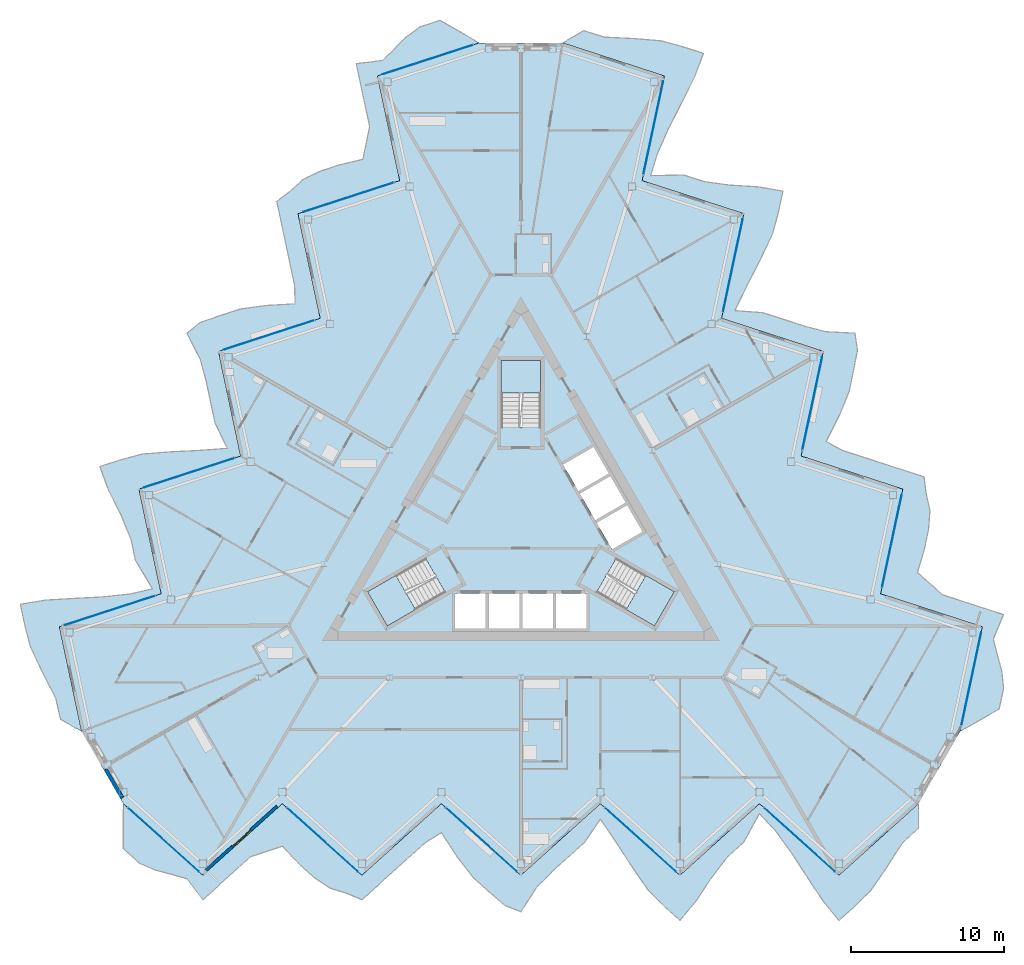
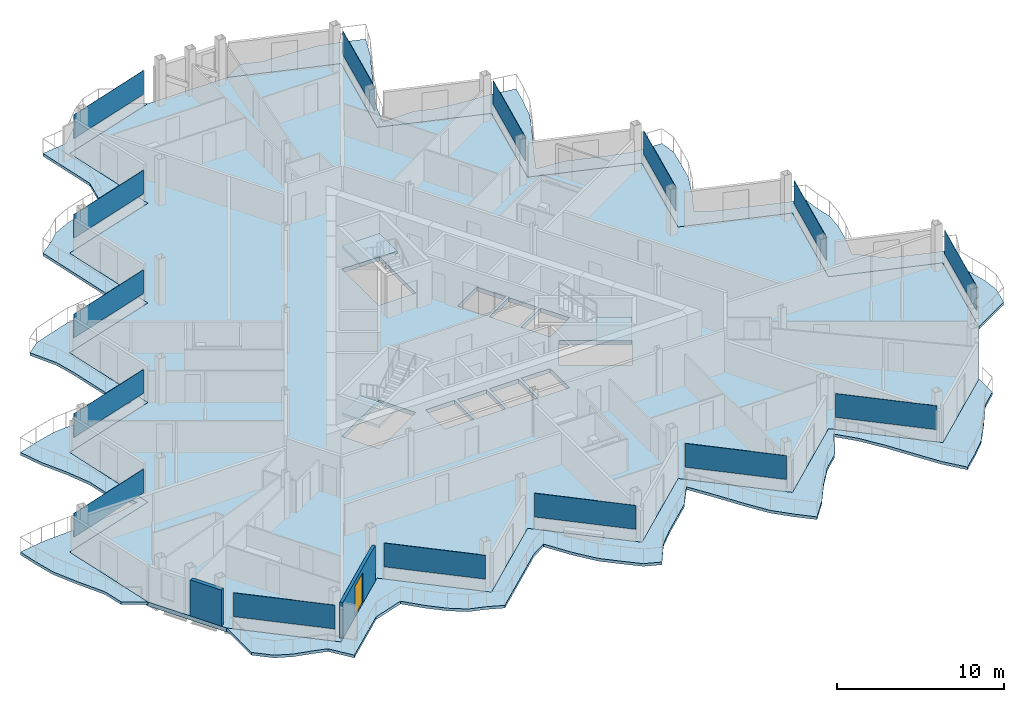
# One storey, part 11 of 26: 15 plates, 7 slabs, 2 walls, 1 door, 1 opening, 18 elements without a shape of their own.
"""IFC4 building model written with IfcOpenShell, lengths in metres."""

from ifc_helpers import new_model, si_unit, direction, frame, frame_2d, origin, origin_2d, place, context, subcontext, project, spatial, polyline, rectangle, outline, extrude, material, layer, layer_set, type_object, element, fill, aggregate, save


model = new_model("IFC4")

# Units and contexts
model_context = context("Model", 3, precision=1e-05, world=origin(), true_north=direction((0.0, 1.0)))
body_context = subcontext(model_context, "Body", "Model", "MODEL_VIEW")
ifc_project = project(units=[si_unit("LENGTHUNIT", "METRE"), si_unit("AREAUNIT", "SQUARE_METRE"), si_unit("VOLUMEUNIT", "CUBIC_METRE"), si_unit("PLANEANGLEUNIT", "RADIAN"), si_unit("MASSUNIT", "GRAM", prefix="KILO")], contexts=[model_context])

# Site, building, storey
site_placement = place(None, origin())
site = spatial("IfcSite", under=ifc_project, at=site_placement, CompositionType="ELEMENT")
building_placement = place(site_placement, origin())
building = spatial("IfcBuilding", under=site, at=building_placement, Name="Cormorant Prow Tower", CompositionType="ELEMENT")
storey_placement = place(building_placement, frame((0.0, 0.0, 364.39990234375)))
storey = spatial("IfcBuildingStorey", under=building, at=storey_placement, Name="L81", CompositionType="ELEMENT", Elevation=364.39990234375)

# Slabs
ifc_material_1 = material(Name="Concrete C40/50", Category="concrete")
ifc_layer_1 = layer(ifc_material_1, 0.199951171875)
ifc_layer_set_1 = layer_set([ifc_layer_1], Name="Concrete C40/50")
slab_type_1 = type_object("IfcSlabType", Name="Balcony slab 200", PredefinedType="FLOOR", material=ifc_layer_set_1)
slab_1_placement = place(storey_placement, frame((0.0, 0.0, -0.199951171875)))
element("IfcSlab", 1, at=slab_1_placement, inside=storey, type_object=slab_type_1, Name="Balcony slab S L81", PredefinedType="FLOOR", context=body_context, shape_type="SweptSolid", body=[
    extrude(outline(polyline([(-26.0, -18.1572265625), (-26.0, -21.107421875), (-24.9599609375, -22.043701171875), (-23.919921875, -22.498046875), (-22.8798828125, -22.769287109375), (-21.840087890625, -23.069091796875), (-20.800048828125, -24.439453125), (-19.760009765625, -23.5029296875), (-18.719970703125, -22.566650390625), (-17.679931640625, -21.630126953125), (-16.639892578125, -21.283203125), (-15.60009765625, -20.939453125), (-14.56005859375, -22.043701171875), (-13.52001953125, -22.980224609375), (-12.47998046875, -23.68115234375), (-11.43994140625, -24.002197265625), (-10.39990234375, -24.439453125), (-9.360107421875, -23.5029296875), (-8.320068359375, -22.566650390625), (-7.280029296875, -21.630126953125), (-6.239990234375, -20.69384765625), (-5.199951171875, -20.052001953125), (-4.159912109375, -21.64208984375), (-3.1201171875, -22.980224609375), (-2.080078125, -23.91650390625), (-1.0400390625, -24.818115234375), (0.0, -25.223876953125), (1.0400390625, -23.6142578125), (2.080078125, -22.566650390625), (3.1201171875, -21.630126953125), (4.159912109375, -20.69384765625), (5.199951171875, -19.167724609375), (6.239990234375, -20.69384765625), (7.280029296875, -22.308349609375), (8.320068359375, -23.811279296875), (9.360107421875, -24.85302734375), (10.39990234375, -25.78955078125), (11.43994140625, -24.54541015625), (12.47998046875, -22.974609375), (13.52001953125, -21.630126953125), (14.56005859375, -20.69384765625), (15.60009765625, -18.807373046875), (16.639892578125, -19.92236328125), (17.679931640625, -21.352783203125), (18.719970703125, -22.953369140625), (19.760009765625, -24.5283203125), (20.800048828125, -25.78955078125), (21.840087890625, -24.85302734375), (22.8798828125, -23.8251953125), (23.919921875, -22.32861328125), (24.9599609375, -20.714599609375), (26.0, -19.75732421875), (26.0, -18.1572265625), (24.9599609375, -19.09375), (23.919921875, -20.0302734375), (22.8798828125, -20.966552734375), (21.840087890625, -21.903076171875), (20.800048828125, -22.83935546875), (19.760009765625, -21.903076171875), (18.719970703125, -20.966552734375), (17.679931640625, -20.0302734375), (16.639892578125, -19.09375), (15.60009765625, -18.1572265625), (14.56005859375, -19.09375), (13.52001953125, -20.0302734375), (12.47998046875, -20.966552734375), (11.43994140625, -21.903076171875), (10.39990234375, -22.83935546875), (9.360107421875, -21.903076171875), (8.320068359375, -20.966552734375), (7.280029296875, -20.0302734375), (6.239990234375, -19.09375), (5.199951171875, -18.1572265625), (4.159912109375, -19.09375), (3.1201171875, -20.0302734375), (2.080078125, -20.966552734375), (1.0400390625, -21.903076171875), (0.0, -22.83935546875), (-1.0400390625, -21.903076171875), (-2.080078125, -20.966552734375), (-3.1201171875, -20.0302734375), (-4.159912109375, -19.09375), (-5.199951171875, -18.1572265625), (-6.239990234375, -19.09375), (-7.280029296875, -20.0302734375), (-8.320068359375, -20.966552734375), (-9.360107421875, -21.903076171875), (-10.39990234375, -22.83935546875), (-11.43994140625, -21.903076171875), (-12.47998046875, -20.966552734375), (-13.52001953125, -20.0302734375), (-14.56005859375, -19.09375), (-15.60009765625, -18.1572265625), (-16.639892578125, -19.09375), (-17.679931640625, -20.0302734375), (-18.719970703125, -20.966552734375), (-19.760009765625, -21.903076171875), (-20.800048828125, -22.83935546875), (-21.840087890625, -21.903076171875), (-22.8798828125, -20.966552734375), (-23.919921875, -20.0302734375), (-24.9599609375, -19.09375), (-26.0, -18.1572265625)])), origin(), (0.0, 0.0, 1.0), 0.199951171875),
])
slab_2_placement = place(storey_placement, frame((0.0, 0.0, -0.199951171875)))
element("IfcSlab", 2, at=slab_2_placement, inside=storey, type_object=slab_type_1, Name="Balcony slab ENE L81", PredefinedType="FLOOR", context=body_context, shape_type="SweptSolid", body=[
    extrude(outline(polyline([(28.724609375, -13.43798828125), (31.279541015625, -11.962890625), (31.570556640625, -10.593994140625), (31.44384765625, -9.46630859375), (31.158935546875, -8.429931640625), (30.8984375, -7.37939453125), (31.565185546875, -5.793701171875), (30.234130859375, -5.361083984375), (28.9033203125, -4.9287109375), (27.572265625, -4.496337890625), (26.751708984375, -3.76904296875), (25.93408203125, -3.040283203125), (26.370361328125, -1.58740234375), (26.661376953125, -0.218505859375), (26.748291015625, 1.032470703125), (26.506591796875, 2.09375), (26.365234375, 3.213134765625), (25.0341796875, 3.6455078125), (23.703369140625, 4.077880859375), (22.372314453125, 4.510498046875), (21.041259765625, 4.94287109375), (19.965576171875, 5.522705078125), (20.822509765625, 7.218505859375), (21.46142578125, 8.7880859375), (21.75244140625, 10.156982421875), (22.012939453125, 11.50830078125), (21.844482421875, 12.612060546875), (19.9306640625, 12.707763671875), (18.503173828125, 13.084716796875), (17.17236328125, 13.51708984375), (15.84130859375, 13.949462890625), (13.999755859375, 14.087158203125), (14.801513671875, 15.7509765625), (15.6796875, 17.458740234375), (16.461181640625, 19.111083984375), (16.84326171875, 20.532470703125), (17.13427734375, 21.9013671875), (15.537109375, 22.18017578125), (13.656494140625, 22.295166015625), (11.972412109375, 22.523681640625), (10.641357421875, 22.956298828125), (8.48779296875, 22.91357421875), (8.93310546875, 24.371826171875), (9.652099609375, 25.98779296875), (10.51806640625, 27.688720703125), (11.362060546875, 29.376708984375), (11.934326171875, 30.907958984375), (10.603271484375, 31.340576171875), (9.193115234375, 31.727294921875), (7.377197265625, 31.879638671875), (5.45947265625, 31.973388671875), (4.1103515625, 32.395263671875), (2.724609375, 31.59521484375), (4.0556640625, 31.162841796875), (5.38671875, 30.73046875), (6.717529296875, 30.2978515625), (8.048583984375, 29.865478515625), (9.379638671875, 29.43310546875), (9.088623046875, 28.064208984375), (8.797607421875, 26.6953125), (8.506591796875, 25.326416015625), (8.215576171875, 23.95751953125), (7.9248046875, 22.588623046875), (9.255615234375, 22.15625), (10.586669921875, 21.723876953125), (11.917724609375, 21.291259765625), (13.24853515625, 20.85888671875), (14.57958984375, 20.42626953125), (14.28857421875, 19.0576171875), (13.99755859375, 17.688720703125), (13.70654296875, 16.31982421875), (13.415771484375, 14.950927734375), (13.124755859375, 13.58203125), (14.45556640625, 13.149658203125), (15.78662109375, 12.717041015625), (17.11767578125, 12.28466796875), (18.448486328125, 11.852294921875), (19.779541015625, 11.419677734375), (19.488525390625, 10.05078125), (19.197509765625, 8.681884765625), (18.90673828125, 7.31298828125), (18.61572265625, 5.9443359375), (18.32470703125, 4.575439453125), (19.65576171875, 4.142822265625), (20.986572265625, 3.71044921875), (22.317626953125, 3.278076171875), (23.648681640625, 2.845458984375), (24.9794921875, 2.4130859375), (24.6884765625, 1.044189453125), (24.397705078125, -0.32470703125), (24.106689453125, -1.693603515625), (23.815673828125, -3.0625), (23.524658203125, -4.431396484375), (24.855712890625, -4.86376953125), (26.186767578125, -5.296142578125), (27.517578125, -5.728759765625), (28.8486328125, -6.1611328125), (30.179443359375, -6.593505859375), (29.888671875, -7.96240234375), (29.59765625, -9.331298828125), (29.306640625, -10.7001953125), (29.015625, -12.069091796875), (28.724609375, -13.43798828125)])), origin(), (0.0, 0.0, 1.0), 0.199951171875),
])
slab_3_placement = place(storey_placement, frame((0.0, 0.0, -0.199951171875)))
element("IfcSlab", 3, at=slab_3_placement, inside=storey, type_object=slab_type_1, Name="Balcony slab WNW L81", PredefinedType="FLOOR", context=body_context, shape_type="SweptSolid", body=[
    extrude(outline(polyline([(-2.724609375, 31.59521484375), (-5.279541015625, 33.0703125), (-6.6103515625, 32.637939453125), (-7.52392578125, 31.96435546875), (-8.27880859375, 31.19921875), (-9.05859375, 30.448486328125), (-10.76513671875, 30.233154296875), (-10.47412109375, 28.8642578125), (-10.183349609375, 27.495361328125), (-9.892333984375, 26.12646484375), (-10.11181640625, 25.05224609375), (-10.333984375, 23.979736328125), (-11.810546875, 23.631103515625), (-13.141357421875, 23.19873046875), (-14.268310546875, 22.6484375), (-15.066650390625, 21.908447265625), (-15.965087890625, 21.226318359375), (-15.67431640625, 19.857421875), (-15.38330078125, 18.488525390625), (-15.09228515625, 17.119873046875), (-14.80126953125, 15.7509765625), (-14.765625, 14.529296875), (-16.66259765625, 14.423828125), (-18.34130859375, 14.192138671875), (-19.67236328125, 13.759521484375), (-20.97314453125, 13.3095703125), (-21.844482421875, 12.612060546875), (-20.970703125, 10.906494140625), (-20.583251953125, 9.48193359375), (-20.292236328125, 8.113037109375), (-20.001220703125, 6.744140625), (-19.199951171875, 5.08056640625), (-21.04150390625, 4.94287109375), (-22.959716796875, 4.849609375), (-24.78125, 4.700439453125), (-26.203369140625, 4.320556640625), (-27.534423828125, 3.887939453125), (-26.97705078125, 2.365478515625), (-26.136474609375, 0.67919921875), (-25.4921875, -0.8935546875), (-25.201416015625, -2.262451171875), (-24.087646484375, -4.106201171875), (-25.5732421875, -4.449462890625), (-27.33203125, -4.635009765625), (-29.238037109375, -4.7353515625), (-31.1220703125, -4.8486328125), (-32.734375, -5.11865234375), (-32.443359375, -6.487548828125), (-32.0732421875, -7.902099609375), (-31.297119140625, -9.551025390625), (-30.41943359375, -11.2587890625), (-30.1103515625, -12.637939453125), (-28.724609375, -13.43798828125), (-29.015625, -12.069091796875), (-29.306640625, -10.7001953125), (-29.59765625, -9.331298828125), (-29.888671875, -7.96240234375), (-30.179443359375, -6.593505859375), (-28.8486328125, -6.1611328125), (-27.517578125, -5.728759765625), (-26.186767578125, -5.296142578125), (-24.855712890625, -4.86376953125), (-23.524658203125, -4.431396484375), (-23.815673828125, -3.0625), (-24.106689453125, -1.693603515625), (-24.397705078125, -0.32470703125), (-24.6884765625, 1.044189453125), (-24.9794921875, 2.4130859375), (-23.648681640625, 2.845458984375), (-22.317626953125, 3.278076171875), (-20.986572265625, 3.71044921875), (-19.65576171875, 4.142822265625), (-18.32470703125, 4.575439453125), (-18.61572265625, 5.9443359375), (-18.90673828125, 7.31298828125), (-19.197509765625, 8.681884765625), (-19.488525390625, 10.05078125), (-19.779541015625, 11.419677734375), (-18.448486328125, 11.852294921875), (-17.11767578125, 12.28466796875), (-15.78662109375, 12.717041015625), (-14.45556640625, 13.149658203125), (-13.124755859375, 13.58203125), (-13.415771484375, 14.950927734375), (-13.70654296875, 16.31982421875), (-13.99755859375, 17.688720703125), (-14.28857421875, 19.0576171875), (-14.57958984375, 20.42626953125), (-13.24853515625, 20.85888671875), (-11.917724609375, 21.291259765625), (-10.586669921875, 21.723876953125), (-9.255615234375, 22.15625), (-7.9248046875, 22.588623046875), (-8.215576171875, 23.95751953125), (-8.506591796875, 25.326416015625), (-8.797607421875, 26.6953125), (-9.088623046875, 28.064208984375), (-9.379638671875, 29.43310546875), (-8.048583984375, 29.865478515625), (-6.717529296875, 30.2978515625), (-5.38671875, 30.73046875), (-4.0556640625, 31.162841796875), (-2.724609375, 31.59521484375)])), origin(), (0.0, 0.0, 1.0), 0.199951171875),
])
ifc_material_2 = material(Name="Concrete C40/50", Category="concrete")
ifc_layer_2 = layer(ifc_material_2, 0.300048828125)
ifc_layer_set_2 = layer_set([ifc_layer_2], Name="Concrete C40/50")
slab_type_2 = type_object("IfcSlabType", Name="Post-tensioned flat slab 300", PredefinedType="FLOOR", material=ifc_layer_set_2)
slab_4_placement = place(storey_placement, frame((0.0, 0.0, -0.2998046875)))
element("IfcSlab", 4, at=slab_4_placement, inside=storey, type_object=slab_type_2, Name="Floor slab L81", PredefinedType="FLOOR", context=body_context, shape_type="SweptSolid", body=[
    extrude(outline(polyline([(-7.9248046875, 22.588623046875), (-14.57958984375, 20.42626953125), (-13.124755859375, 13.58203125), (-19.779541015625, 11.419677734375), (-18.32470703125, 4.575439453125), (-24.9794921875, 2.4130859375), (-23.524658203125, -4.431396484375), (-30.179443359375, -6.593505859375), (-28.724609375, -13.43798828125), (-27.3623046875, -15.797607421875), (-26.0, -18.1572265625), (-20.800048828125, -22.83935546875), (-15.60009765625, -18.1572265625), (-10.39990234375, -22.83935546875), (-5.199951171875, -18.1572265625), (0.0, -22.83935546875), (5.199951171875, -18.1572265625), (10.39990234375, -22.83935546875), (15.60009765625, -18.1572265625), (20.800048828125, -22.83935546875), (26.0, -18.1572265625), (27.3623046875, -15.797607421875), (28.724609375, -13.43798828125), (30.179443359375, -6.593505859375), (23.524658203125, -4.431396484375), (24.9794921875, 2.4130859375), (18.32470703125, 4.575439453125), (19.779541015625, 11.419677734375), (13.124755859375, 13.58203125), (14.57958984375, 20.42626953125), (7.9248046875, 22.588623046875), (9.379638671875, 29.43310546875), (2.724609375, 31.59521484375), (0.0, 31.59521484375), (-2.724609375, 31.59521484375), (-9.379638671875, 29.43310546875), (-7.9248046875, 22.588623046875)]), holes=[polyline([(-4.300048828125, -4.39990234375), (-2.300048828125, -4.39990234375), (-2.300048828125, -6.699951171875), (-4.300048828125, -6.699951171875), (-4.300048828125, -4.39990234375)]), polyline([(-0.10009765625, -4.39990234375), (-0.10009765625, -6.699951171875), (-2.10009765625, -6.699951171875), (-2.10009765625, -4.39990234375), (-0.10009765625, -4.39990234375)]), polyline([(2.10009765625, -6.699951171875), (0.10009765625, -6.699951171875), (0.10009765625, -4.39990234375), (2.10009765625, -4.39990234375), (2.10009765625, -6.699951171875)]), polyline([(2.300048828125, -6.699951171875), (2.300048828125, -4.39990234375), (4.300048828125, -4.39990234375), (4.300048828125, -6.699951171875), (2.300048828125, -6.699951171875)]), polyline([(5.96044921875, -1.52392578125), (4.96044921875, 0.2080078125), (6.952392578125, 1.358154296875), (7.952392578125, -0.373779296875), (5.96044921875, -1.52392578125)]), polyline([(3.860595703125, 2.11328125), (5.852294921875, 3.263427734375), (6.852294921875, 1.53125), (4.860595703125, 0.38134765625), (3.860595703125, 2.11328125)]), polyline([(4.75244140625, 5.168701171875), (5.75244140625, 3.4365234375), (3.760498046875, 2.28662109375), (2.760498046875, 4.018798828125), (4.75244140625, 5.168701171875)]), polyline([(-4.947509765625, -4.3505859375), (-8.738037109375, -6.5390625), (-10.031982421875, -4.2978515625), (-6.241455078125, -2.109375), (-4.947509765625, -4.3505859375)]), polyline([(10.031982421875, -4.2978515625), (8.738037109375, -6.5390625), (4.947509765625, -4.3505859375), (6.241455078125, -2.109375), (10.031982421875, -4.2978515625)]), polyline([(1.2939453125, 10.8369140625), (1.2939453125, 6.459716796875), (-1.2939453125, 6.459716796875), (-1.2939453125, 10.8369140625), (1.2939453125, 10.8369140625)])]), origin(), (0.0, 0.0, 1.0), 0.2998046875),
])

# Curtain wall, plate
ifc_material_3 = material(Name="Aluminium 6063-T6", Category="aluminium")
ifc_layer_3 = layer(ifc_material_3, 0.159912109375)
ifc_layer_set_3 = layer_set([ifc_layer_3], Name="Aluminium 6063-T6")
curtain_wall_type = type_object("IfcCurtainWallType", Name="Residential unitised curtain wall 160", PredefinedType="NOTDEFINED", material=ifc_layer_set_3)
curtain_wall_1_placement = place(storey_placement, origin())
curtain_wall_1 = element("IfcCurtainWall", 5, at=curtain_wall_1_placement, inside=storey, type_object=curtain_wall_type, Name="Residential curtain wall S00", PredefinedType="NOTDEFINED")
ifc_material_4 = material(Name="Clear glass", Category="glass")
ifc_layer_4 = layer(ifc_material_4, 0.02392578125)
ifc_layer_set_4 = layer_set([ifc_layer_4], Name="Clear glass")
plate_type = type_object("IfcPlateType", Name="Residential glass panel 24", PredefinedType="CURTAIN_PANEL", material=ifc_layer_set_4)
plate_1_placement = place(storey_placement, frame((-23.38134765625, -20.51513671875, 0.900146484375), z_axis=(0.0, 0.0, 1.0), x_axis=(0.743144756574, -0.669130682884, 0.0)))
plate_1 = element("IfcPlate", 6, at=plate_1_placement, type_object=plate_type, Name="Residential glass panel S00", PredefinedType="CURTAIN_PANEL", context=body_context, shape_type="SweptSolid", body=[
    extrude(rectangle(XDim=6.21533203125, YDim=0.02392578125, at=origin_2d()), origin(), (0.0, 0.0, 1.0), 1.73388671875),
])
aggregate(curtain_wall_1, [plate_1])

curtain_wall_2_placement = place(storey_placement, origin())
curtain_wall_2 = element("IfcCurtainWall", 7, at=curtain_wall_2_placement, inside=storey, type_object=curtain_wall_type, Name="Residential curtain wall S02", PredefinedType="NOTDEFINED")
plate_2_placement = place(storey_placement, frame((-12.9814453125, -20.51513671875, 0.900146484375), z_axis=(0.0, 0.0, 1.0), x_axis=(0.743144756574, -0.669130682884, 0.0)))
plate_2 = element("IfcPlate", 8, at=plate_2_placement, type_object=plate_type, Name="Residential glass panel S02", PredefinedType="CURTAIN_PANEL", context=body_context, shape_type="SweptSolid", body=[
    extrude(rectangle(XDim=6.21533203125, YDim=0.02392578125, at=origin_2d()), origin(), (0.0, 0.0, 1.0), 1.73388671875),
])
aggregate(curtain_wall_2, [plate_2])

curtain_wall_3_placement = place(storey_placement, origin())
curtain_wall_3 = element("IfcCurtainWall", 9, at=curtain_wall_3_placement, inside=storey, type_object=curtain_wall_type, Name="Residential curtain wall S04", PredefinedType="NOTDEFINED")
plate_3_placement = place(storey_placement, frame((-2.58154296875, -20.51513671875, 0.900146484375), z_axis=(0.0, 0.0, 1.0), x_axis=(0.743144756574, -0.669130682884, 0.0)))
plate_3 = element("IfcPlate", 10, at=plate_3_placement, type_object=plate_type, Name="Residential glass panel S04", PredefinedType="CURTAIN_PANEL", context=body_context, shape_type="SweptSolid", body=[
    extrude(rectangle(XDim=6.21533203125, YDim=0.02392578125, at=origin_2d()), origin(), (0.0, 0.0, 1.0), 1.73388671875),
])
aggregate(curtain_wall_3, [plate_3])

curtain_wall_4_placement = place(storey_placement, origin())
curtain_wall_4 = element("IfcCurtainWall", 11, at=curtain_wall_4_placement, inside=storey, type_object=curtain_wall_type, Name="Residential curtain wall S06", PredefinedType="NOTDEFINED")
plate_4_placement = place(storey_placement, frame((7.818603515625, -20.51513671875, 0.900146484375), z_axis=(0.0, 0.0, 1.0), x_axis=(0.743144756574, -0.669130682884, 0.0)))
plate_4 = element("IfcPlate", 12, at=plate_4_placement, type_object=plate_type, Name="Residential glass panel S06", PredefinedType="CURTAIN_PANEL", context=body_context, shape_type="SweptSolid", body=[
    extrude(rectangle(XDim=6.21533203125, YDim=0.02392578125, at=origin_2d()), origin(), (0.0, 0.0, 1.0), 1.73388671875),
])
aggregate(curtain_wall_4, [plate_4])

curtain_wall_5_placement = place(storey_placement, origin())
curtain_wall_5 = element("IfcCurtainWall", 13, at=curtain_wall_5_placement, inside=storey, type_object=curtain_wall_type, Name="Residential curtain wall S08", PredefinedType="NOTDEFINED")
plate_5_placement = place(storey_placement, frame((18.218505859375, -20.51513671875, 0.900146484375), z_axis=(0.0, 0.0, 1.0), x_axis=(0.743144756574, -0.669130682884, 0.0)))
plate_5 = element("IfcPlate", 14, at=plate_5_placement, type_object=plate_type, Name="Residential glass panel S08", PredefinedType="CURTAIN_PANEL", context=body_context, shape_type="SweptSolid", body=[
    extrude(rectangle(XDim=6.21533203125, YDim=0.02392578125, at=origin_2d()), origin(), (0.0, 0.0, 1.0), 1.73388671875),
])
aggregate(curtain_wall_5, [plate_5])

curtain_wall_6_placement = place(storey_placement, origin())
curtain_wall_6 = element("IfcCurtainWall", 15, at=curtain_wall_6_placement, inside=storey, type_object=curtain_wall_type, Name="Residential curtain wall ENE00", PredefinedType="NOTDEFINED")
plate_6_placement = place(storey_placement, frame((29.457275390625, -9.991455078125, 0.900146484375), z_axis=(0.0, 0.0, 1.0), x_axis=(0.207911756835, 0.978147586701, 0.0)))
plate_6 = element("IfcPlate", 16, at=plate_6_placement, type_object=plate_type, Name="Residential glass panel ENE00", PredefinedType="CURTAIN_PANEL", context=body_context, shape_type="SweptSolid", body=[
    extrude(rectangle(XDim=6.21533203125, YDim=0.02392578125, at=origin_2d()), origin(), (0.0, 0.0, 1.0), 1.73388671875),
])
aggregate(curtain_wall_6, [plate_6])

curtain_wall_7_placement = place(storey_placement, origin())
curtain_wall_7 = element("IfcCurtainWall", 17, at=curtain_wall_7_placement, inside=storey, type_object=curtain_wall_type, Name="Residential curtain wall ENE02", PredefinedType="NOTDEFINED")
plate_7_placement = place(storey_placement, frame((24.25732421875, -0.984619140625, 0.900146484375), z_axis=(0.0, 0.0, 1.0), x_axis=(0.207911785891, 0.978147580525, 0.0)))
plate_7 = element("IfcPlate", 18, at=plate_7_placement, type_object=plate_type, Name="Residential glass panel ENE02", PredefinedType="CURTAIN_PANEL", context=body_context, shape_type="SweptSolid", body=[
    extrude(rectangle(XDim=6.21533203125, YDim=0.02392578125, at=origin_2d()), origin(), (0.0, 0.0, 1.0), 1.73388671875),
])
aggregate(curtain_wall_7, [plate_7])

curtain_wall_8_placement = place(storey_placement, origin())
curtain_wall_8 = element("IfcCurtainWall", 19, at=curtain_wall_8_placement, inside=storey, type_object=curtain_wall_type, Name="Residential curtain wall ENE04", PredefinedType="NOTDEFINED")
plate_8_placement = place(storey_placement, frame((19.057373046875, 8.02197265625, 0.900146484375), z_axis=(0.0, 0.0, 1.0), x_axis=(0.207911756835, 0.978147586701, 0.0)))
plate_8 = element("IfcPlate", 20, at=plate_8_placement, type_object=plate_type, Name="Residential glass panel ENE04", PredefinedType="CURTAIN_PANEL", context=body_context, shape_type="SweptSolid", body=[
    extrude(rectangle(XDim=6.21533203125, YDim=0.02392578125, at=origin_2d()), origin(), (0.0, 0.0, 1.0), 1.73388671875),
])
aggregate(curtain_wall_8, [plate_8])

curtain_wall_9_placement = place(storey_placement, origin())
curtain_wall_9 = element("IfcCurtainWall", 21, at=curtain_wall_9_placement, inside=storey, type_object=curtain_wall_type, Name="Residential curtain wall ENE06", PredefinedType="NOTDEFINED")
plate_9_placement = place(storey_placement, frame((13.857421875, 17.028564453125, 0.900146484375), z_axis=(0.0, 0.0, 1.0), x_axis=(0.207911756835, 0.978147586701, 0.0)))
plate_9 = element("IfcPlate", 22, at=plate_9_placement, type_object=plate_type, Name="Residential glass panel ENE06", PredefinedType="CURTAIN_PANEL", context=body_context, shape_type="SweptSolid", body=[
    extrude(rectangle(XDim=6.21533203125, YDim=0.02392578125, at=origin_2d()), origin(), (0.0, 0.0, 1.0), 1.73388671875),
])
aggregate(curtain_wall_9, [plate_9])

curtain_wall_10_placement = place(storey_placement, origin())
curtain_wall_10 = element("IfcCurtainWall", 23, at=curtain_wall_10_placement, inside=storey, type_object=curtain_wall_type, Name="Residential curtain wall ENE08", PredefinedType="NOTDEFINED")
plate_10_placement = place(storey_placement, frame((8.6572265625, 26.035400390625, 0.900146484375), z_axis=(0.0, 0.0, 1.0), x_axis=(0.207911756835, 0.978147586701, 0.0)))
plate_10 = element("IfcPlate", 24, at=plate_10_placement, type_object=plate_type, Name="Residential glass panel ENE08", PredefinedType="CURTAIN_PANEL", context=body_context, shape_type="SweptSolid", body=[
    extrude(rectangle(XDim=6.21533203125, YDim=0.02392578125, at=origin_2d()), origin(), (0.0, 0.0, 1.0), 1.73388671875),
])
aggregate(curtain_wall_10, [plate_10])

curtain_wall_11_placement = place(storey_placement, origin())
curtain_wall_11 = element("IfcCurtainWall", 25, at=curtain_wall_11_placement, inside=storey, type_object=curtain_wall_type, Name="Residential curtain wall WNW00", PredefinedType="NOTDEFINED")
plate_11_placement = place(storey_placement, frame((-6.075927734375, 30.50634765625, 0.900146484375), z_axis=(0.0, 0.0, 1.0), x_axis=(-0.951056548553, -0.309016895096, 0.0)))
plate_11 = element("IfcPlate", 26, at=plate_11_placement, type_object=plate_type, Name="Residential glass panel WNW00", PredefinedType="CURTAIN_PANEL", context=body_context, shape_type="SweptSolid", body=[
    extrude(rectangle(XDim=6.21533203125, YDim=0.02392578125, at=origin_2d()), origin(), (0.0, 0.0, 1.0), 1.73388671875),
])
aggregate(curtain_wall_11, [plate_11])

curtain_wall_12_placement = place(storey_placement, origin())
curtain_wall_12 = element("IfcCurtainWall", 27, at=curtain_wall_12_placement, inside=storey, type_object=curtain_wall_type, Name="Residential curtain wall WNW02", PredefinedType="NOTDEFINED")
plate_12_placement = place(storey_placement, frame((-11.27587890625, 21.499755859375, 0.900146484375), z_axis=(0.0, 0.0, 1.0), x_axis=(-0.951056506549, -0.309017024369, 0.0)))
plate_12 = element("IfcPlate", 28, at=plate_12_placement, type_object=plate_type, Name="Residential glass panel WNW02", PredefinedType="CURTAIN_PANEL", context=body_context, shape_type="SweptSolid", body=[
    extrude(rectangle(XDim=6.21533203125, YDim=0.02392578125, at=origin_2d()), origin(), (0.0, 0.0, 1.0), 1.73388671875),
])
aggregate(curtain_wall_12, [plate_12])

curtain_wall_13_placement = place(storey_placement, origin())
curtain_wall_13 = element("IfcCurtainWall", 29, at=curtain_wall_13_placement, inside=storey, type_object=curtain_wall_type, Name="Residential curtain wall WNW04", PredefinedType="NOTDEFINED")
plate_13_placement = place(storey_placement, frame((-16.475830078125, 12.4931640625, 0.900146484375), z_axis=(0.0, 0.0, 1.0), x_axis=(-0.951056548553, -0.309016895096, 0.0)))
plate_13 = element("IfcPlate", 30, at=plate_13_placement, type_object=plate_type, Name="Residential glass panel WNW04", PredefinedType="CURTAIN_PANEL", context=body_context, shape_type="SweptSolid", body=[
    extrude(rectangle(XDim=6.21533203125, YDim=0.02392578125, at=origin_2d()), origin(), (0.0, 0.0, 1.0), 1.73388671875),
])
aggregate(curtain_wall_13, [plate_13])

curtain_wall_14_placement = place(storey_placement, origin())
curtain_wall_14 = element("IfcCurtainWall", 31, at=curtain_wall_14_placement, inside=storey, type_object=curtain_wall_type, Name="Residential curtain wall WNW06", PredefinedType="NOTDEFINED")
plate_14_placement = place(storey_placement, frame((-21.676025390625, 3.486572265625, 0.900146484375), z_axis=(0.0, 0.0, 1.0), x_axis=(-0.951056506549, -0.309017024369, 0.0)))
plate_14 = element("IfcPlate", 32, at=plate_14_placement, type_object=plate_type, Name="Residential glass panel WNW06", PredefinedType="CURTAIN_PANEL", context=body_context, shape_type="SweptSolid", body=[
    extrude(rectangle(XDim=6.21533203125, YDim=0.02392578125, at=origin_2d()), origin(), (0.0, 0.0, 1.0), 1.73388671875),
])
aggregate(curtain_wall_14, [plate_14])

curtain_wall_15_placement = place(storey_placement, origin())
curtain_wall_15 = element("IfcCurtainWall", 33, at=curtain_wall_15_placement, inside=storey, type_object=curtain_wall_type, Name="Residential curtain wall WNW08", PredefinedType="NOTDEFINED")
plate_15_placement = place(storey_placement, frame((-26.8759765625, -5.520263671875, 0.900146484375), z_axis=(0.0, 0.0, 1.0), x_axis=(-0.951056506549, -0.309017024369, 0.0)))
plate_15 = element("IfcPlate", 34, at=plate_15_placement, type_object=plate_type, Name="Residential glass panel WNW08", PredefinedType="CURTAIN_PANEL", context=body_context, shape_type="SweptSolid", body=[
    extrude(rectangle(XDim=6.21533203125, YDim=0.02392578125, at=origin_2d()), origin(), (0.0, 0.0, 1.0), 1.73388671875),
])
aggregate(curtain_wall_15, [plate_15])

# Stair, slab
ifc_material_5 = material(Name="Exit stair 18 risers")
stair_type = type_object("IfcStairType", Name="Exit stair 18 risers", PredefinedType="HALF_TURN_STAIR", material=ifc_material_5)
stair_1_placement = place(storey_placement, origin())
stair_1 = element("IfcStair", 35, at=stair_1_placement, inside=storey, type_object=stair_type, Name="L81 Exit stair ST1", PredefinedType="HALF_TURN_STAIR")
ifc_material_6 = material(Name="Concrete 5000 psi", Category="concrete")
ifc_layer_5 = layer(ifc_material_6, 0.199951171875)
ifc_layer_set_5 = layer_set([ifc_layer_5], Name="Concrete 5000 psi")
slab_type_3 = type_object("IfcSlabType", Name="Stair landing 200", PredefinedType="LANDING", material=ifc_layer_set_5)
slab_5_placement = place(storey_placement, frame((0.0, 0.0, 1.5)))
slab_5 = element("IfcSlab", 36, at=slab_5_placement, type_object=slab_type_3, Name="ST1 landing 1", PredefinedType="LANDING", context=body_context, shape_type="SweptSolid", body=[
    extrude(outline(polyline([(-8.17431640625, -3.225341796875), (-10.031982421875, -4.2978515625), (-8.738037109375, -6.5390625), (-6.88037109375, -5.466552734375), (-8.17431640625, -3.225341796875)])), origin(), (0.0, 0.0, 1.0), 0.2001953125),
])
aggregate(stair_1, [slab_5])

stair_2_placement = place(storey_placement, origin())
stair_2 = element("IfcStair", 37, at=stair_2_placement, inside=storey, type_object=stair_type, Name="L81 Exit stair ST2", PredefinedType="HALF_TURN_STAIR")
slab_6_placement = place(storey_placement, frame((0.0, 0.0, 1.5)))
slab_6 = element("IfcSlab", 38, at=slab_6_placement, type_object=slab_type_3, Name="ST2 landing 1", PredefinedType="LANDING", context=body_context, shape_type="SweptSolid", body=[
    extrude(outline(polyline([(6.88037109375, -5.466552734375), (8.738037109375, -6.5390625), (10.031982421875, -4.2978515625), (8.17431640625, -3.225341796875), (6.88037109375, -5.466552734375)])), origin(), (0.0, 0.0, 1.0), 0.2001953125),
])
aggregate(stair_2, [slab_6])

stair_3_placement = place(storey_placement, origin())
stair_3 = element("IfcStair", 39, at=stair_3_placement, inside=storey, type_object=stair_type, Name="L81 Exit stair ST3", PredefinedType="HALF_TURN_STAIR")
slab_7_placement = place(storey_placement, frame((0.0, 0.0, 1.5)))
slab_7 = element("IfcSlab", 40, at=slab_7_placement, type_object=slab_type_3, Name="ST3 landing 1", PredefinedType="LANDING", context=body_context, shape_type="SweptSolid", body=[
    extrude(outline(polyline([(1.2939453125, 8.69189453125), (1.2939453125, 10.8369140625), (-1.2939453125, 10.8369140625), (-1.2939453125, 8.69189453125), (1.2939453125, 8.69189453125)])), origin(), (0.0, 0.0, 1.0), 0.2001953125),
])
aggregate(stair_3, [slab_7])

# Wall
ifc_material_7 = material(Name="Terracotta", Category="masonry")
ifc_layer_6 = layer(ifc_material_7, 0.25)
ifc_layer_set_6 = layer_set([ifc_layer_6], Name="Terracotta")
wall_type_1 = type_object("IfcWallType", Name="Terracotta bay wall 250", PredefinedType="SOLIDWALL", material=ifc_layer_set_6)
wall_1_placement = place(storey_placement, frame((-27.1533203125, -15.90966796875, 0.0), z_axis=(0.0, 0.0, 1.0), x_axis=(0.50000982419, -0.866019731711, 0.0)))
element("IfcWall", 41, at=wall_1_placement, inside=storey, type_object=wall_type_1, Name="Terracotta bay wall WSW01", PredefinedType="SOLIDWALL", context=body_context, shape_type="SweptSolid", body=[
    extrude(rectangle(XDim=2.1572265625, YDim=0.25, at=frame_2d((1.07861328125, 0.0))), origin(), (0.0, 0.0, 1.0), 2.634033203125),
])

# Wall, opening, door
ifc_material_8 = material(Name="Terracotta", Category="masonry")
ifc_layer_7 = layer(ifc_material_8, 0.199951171875)
ifc_layer_set_7 = layer_set([ifc_layer_7], Name="Terracotta")
wall_type_2 = type_object("IfcWallType", Name="Terracotta jamb wall 200", PredefinedType="SOLIDWALL", material=ifc_layer_set_7)
wall_2_placement = place(storey_placement, frame((-20.594970703125, -22.520263671875, 0.0), z_axis=(0.0, 0.0, 1.0), x_axis=(0.743137181878, 0.669139095339, 0.0)))
wall_2 = element("IfcWall", 42, at=wall_2_placement, inside=storey, type_object=wall_type_2, Name="Terracotta jamb wall S01", PredefinedType="SOLIDWALL", context=body_context, shape_type="SweptSolid", body=[
    extrude(rectangle(XDim=6.265380859375, YDim=0.199951171875, at=frame_2d((3.1328125, 0.0))), origin(), (0.0, 0.0, 1.0), 2.634033203125),
])
opening_placement = place(wall_2_placement, frame((2.332763671875, 0.0, 0.0)))
opening = element("IfcOpeningElement", 43, at=opening_placement, cuts=wall_2, Name="Opening ED81.01", PredefinedType="OPENING", context=body_context, shape_type="SweptSolid", body=[
    extrude(rectangle(XDim=1.60009765625, YDim=2.25, at=frame_2d((0.800048828125, 1.125))), frame((0.0, 0.10986328125, 0.0), z_axis=(0.0, -1.0, 0.0), x_axis=(1.0, 0.0, 0.0)), (0.0, 0.0, 1.0), 0.219970703125),
])
ifc_material_9 = material(Name="Aluminium 6063-T6", Category="aluminium")
door_type = type_object("IfcDoorType", Name="Balcony door 1600x2250", OperationType="DOUBLE_DOOR_SINGLE_SWING", PredefinedType="DOOR", material=ifc_material_9)
door_placement = place(opening_placement, origin())
door = element("IfcDoor", 44, at=door_placement, inside=storey, type_object=door_type, Name="Balcony door S01 ED81.01", OperationType="DOUBLE_DOOR_SINGLE_SWING", OverallHeight=2.25, OverallWidth=1.60009765625, PredefinedType="DOOR", context=body_context, shape_type="SweptSolid", body=[
    extrude(rectangle(XDim=1.60009765625, YDim=2.25, at=frame_2d((0.800048828125, 1.125))), frame((0.0, 0.02490234375, 0.0), z_axis=(0.0, -1.0, 0.0), x_axis=(1.0, 0.0, 0.0)), (0.0, 0.0, 1.0), 0.050048828125),
])
fill(opening, door)

save(model, "model.ifc")
